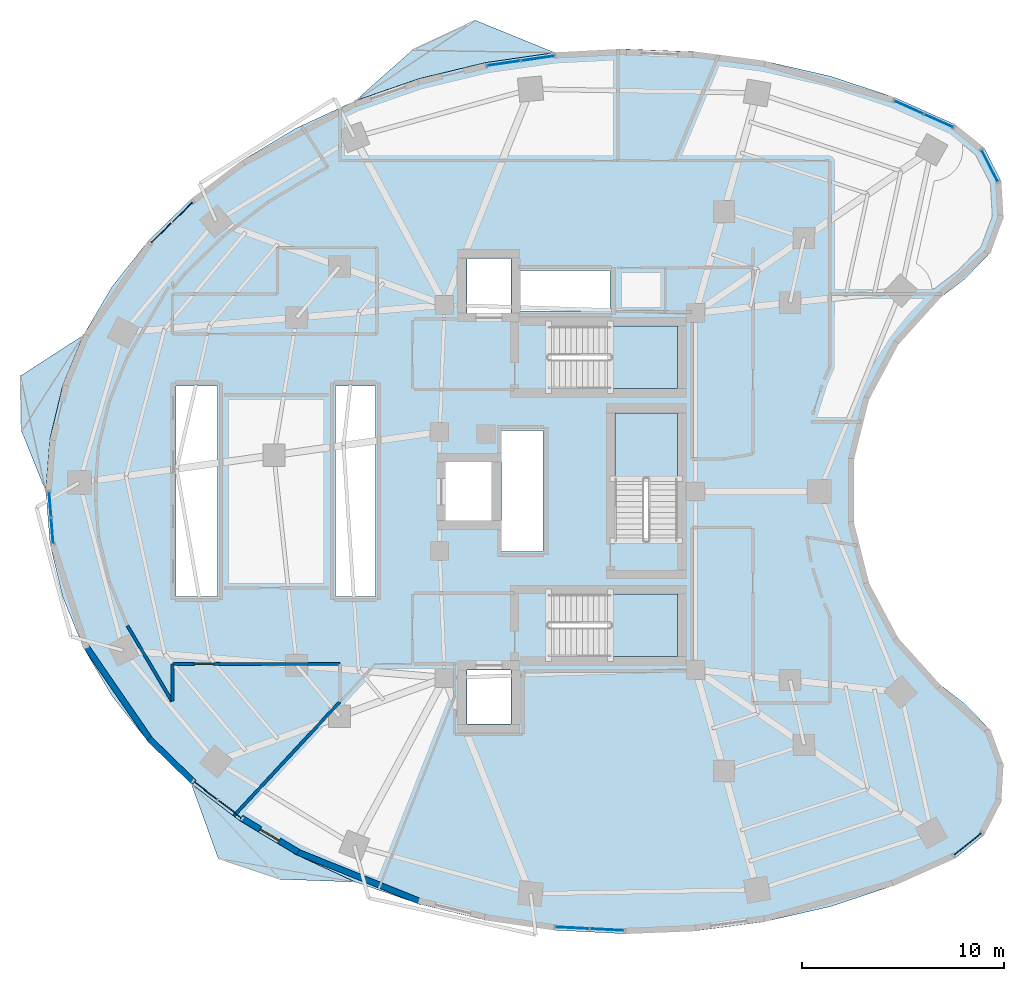
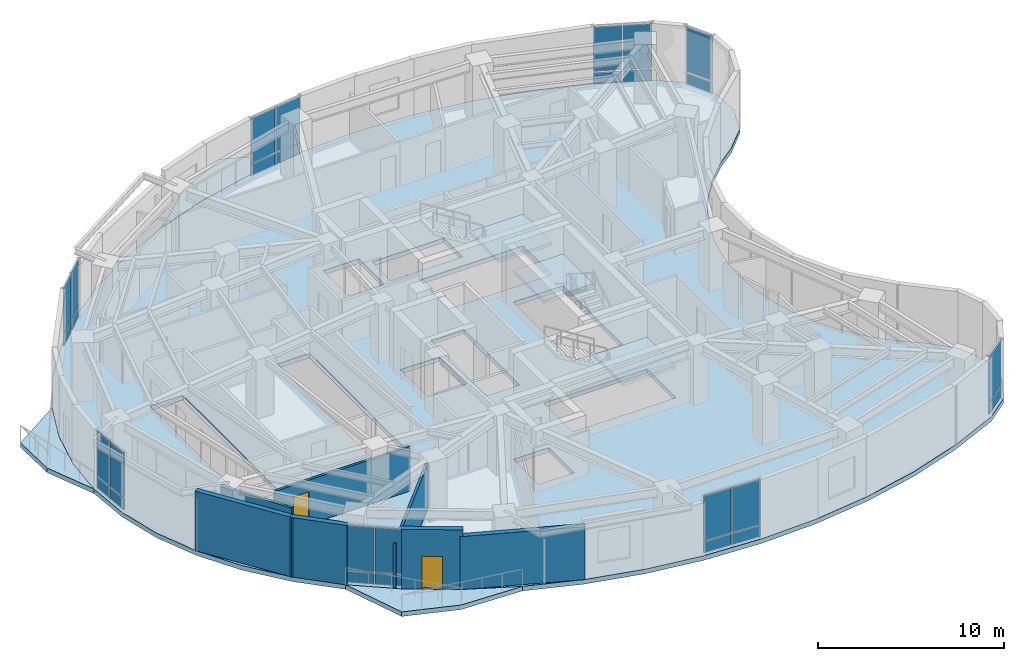
# One storey, part 7 of 14: 28 plates, 8 walls, 7 slabs, 2 doors, 2 openings, 11 elements without a shape of their own.
"""IFC4 building model written with IfcOpenShell, lengths in metres."""

from ifc_helpers import new_model, si_unit, direction, frame, frame_2d, origin, origin_2d, place, context, subcontext, project, spatial, polyline, rectangle, outline, extrude, material, layer, layer_set, type_object, element, fill, aggregate, save


model = new_model("IFC4")

# Units and contexts
model_context = context("Model", 3, precision=1e-05, world=origin(), true_north=direction((0.0, 1.0)))
body_context = subcontext(model_context, "Body", "Model", "MODEL_VIEW")
ifc_project = project(units=[si_unit("LENGTHUNIT", "METRE"), si_unit("AREAUNIT", "SQUARE_METRE"), si_unit("VOLUMEUNIT", "CUBIC_METRE"), si_unit("PLANEANGLEUNIT", "RADIAN"), si_unit("MASSUNIT", "GRAM", prefix="KILO")], contexts=[model_context])

# Site, building, storey
site_placement = place(None, origin())
site = spatial("IfcSite", under=ifc_project, at=site_placement, CompositionType="ELEMENT")
building_placement = place(site_placement, origin())
building = spatial("IfcBuilding", under=site, at=building_placement, Name="Korentha Bioscience Tower", CompositionType="ELEMENT")
storey_placement = place(building_placement, frame((0.0, 0.0, 102.60009765625)))
storey = spatial("IfcBuildingStorey", under=building, at=storey_placement, Name="L23", CompositionType="ELEMENT", Elevation=102.60009765625)

# Curtain wall, plates
ifc_material_1 = material(Name="Thermally Broken Aluminium Frame", Category="aluminium")
ifc_layer_1 = layer(ifc_material_1, 0.219970703125, Name="Thermally Broken Aluminium Frame")
ifc_layer_set_1 = layer_set([ifc_layer_1], Name="Thermally Broken Aluminium Frame (CW-T1)")
curtain_wall_type = type_object("IfcCurtainWallType", Name="Standard Bioscience Lab Unitised Curtain Wall CW-T1", PredefinedType="USERDEFINED", material=ifc_layer_set_1)
curtain_wall_1_placement = place(storey_placement, origin())
curtain_wall_1 = element("IfcCurtainWall", 1, at=curtain_wall_1_placement, inside=storey, type_object=curtain_wall_type, Name="L23 Curtain Wall 01", ObjectType="UNITISED", PredefinedType="USERDEFINED")
ifc_material_2 = material(Name="Triple-Glazed Low-E Insulated Glass", Category="glass")
ifc_layer_2 = layer(ifc_material_2, 0.0439453125, Name="Triple-Glazed Low-E Insulated Glass")
ifc_layer_set_2 = layer_set([ifc_layer_2], Name="Triple-Glazed Low-E Insulated Glass (GL-44)")
plate_type = type_object("IfcPlateType", Name="Glazed Panel 44mm", PredefinedType="CURTAIN_PANEL", material=ifc_layer_set_2)
plate_1_placement = place(storey_placement, frame((49.61767578125, 45.385986328125, 0.08984375), z_axis=(0.0, 0.0, 1.0), x_axis=(-0.912686563127, 0.408660295952, 0.0)))
plate_1 = element("IfcPlate", 2, at=plate_1_placement, type_object=plate_type, Name="CW-L23-01 Bay 1 Glazed Panel 1", PredefinedType="CURTAIN_PANEL", context=body_context, shape_type="SweptSolid", body=[
    extrude(rectangle(XDim=1.54541015625, YDim=0.0439453125, at=origin_2d()), origin(), (0.0, 0.0, 1.0), 0.715087890625),
])
plate_2_placement = place(storey_placement, frame((49.61767578125, 45.385986328125, 0.894775390625), z_axis=(0.0, 0.0, 1.0), x_axis=(-0.912686563127, 0.408660295952, 0.0)))
plate_2 = element("IfcPlate", 3, at=plate_2_placement, type_object=plate_type, Name="CW-L23-01 Bay 1 Glazed Panel 2", PredefinedType="CURTAIN_PANEL", context=body_context, shape_type="SweptSolid", body=[
    extrude(rectangle(XDim=1.54541015625, YDim=0.0439453125, at=origin_2d()), origin(), (0.0, 0.0, 1.0), 2.9150390625),
])
plate_3_placement = place(storey_placement, frame((48.125, 46.05419921875, 0.08984375), z_axis=(0.0, 0.0, 1.0), x_axis=(-0.912686563127, 0.408660295952, 0.0)))
plate_3 = element("IfcPlate", 4, at=plate_3_placement, type_object=plate_type, Name="CW-L23-01 Bay 2 Glazed Panel 1", PredefinedType="CURTAIN_PANEL", context=body_context, shape_type="SweptSolid", body=[
    extrude(rectangle(XDim=1.54541015625, YDim=0.0439453125, at=origin_2d()), origin(), (0.0, 0.0, 1.0), 0.715087890625),
])
plate_4_placement = place(storey_placement, frame((48.125, 46.05419921875, 0.894775390625), z_axis=(0.0, 0.0, 1.0), x_axis=(-0.912686563127, 0.408660295952, 0.0)))
plate_4 = element("IfcPlate", 5, at=plate_4_placement, type_object=plate_type, Name="CW-L23-01 Bay 2 Glazed Panel 2", PredefinedType="CURTAIN_PANEL", context=body_context, shape_type="SweptSolid", body=[
    extrude(rectangle(XDim=1.54541015625, YDim=0.0439453125, at=origin_2d()), origin(), (0.0, 0.0, 1.0), 2.9150390625),
])
aggregate(curtain_wall_1, [plate_1, plate_2, plate_3, plate_4])

curtain_wall_2_placement = place(storey_placement, origin())
curtain_wall_2 = element("IfcCurtainWall", 6, at=curtain_wall_2_placement, inside=storey, type_object=curtain_wall_type, Name="L23 Curtain Wall 07", ObjectType="UNITISED", PredefinedType="USERDEFINED")
plate_5_placement = place(storey_placement, frame((29.724853515625, 48.486328125, 0.08984375), z_axis=(0.0, 0.0, 1.0), x_axis=(-0.989738282326, -0.14289203091, 0.0)))
plate_5 = element("IfcPlate", 7, at=plate_5_placement, type_object=plate_type, Name="CW-L23-07 Bay 1 Glazed Panel 1", PredefinedType="CURTAIN_PANEL", context=body_context, shape_type="SweptSolid", body=[
    extrude(rectangle(XDim=1.630615234375, YDim=0.0439453125, at=origin_2d()), origin(), (0.0, 0.0, 1.0), 0.715087890625),
])
plate_6_placement = place(storey_placement, frame((29.724853515625, 48.486328125, 0.894775390625), z_axis=(0.0, 0.0, 1.0), x_axis=(-0.989738282326, -0.14289203091, 0.0)))
plate_6 = element("IfcPlate", 8, at=plate_6_placement, type_object=plate_type, Name="CW-L23-07 Bay 1 Glazed Panel 2", PredefinedType="CURTAIN_PANEL", context=body_context, shape_type="SweptSolid", body=[
    extrude(rectangle(XDim=1.630615234375, YDim=0.0439453125, at=origin_2d()), origin(), (0.0, 0.0, 1.0), 2.9150390625),
])
plate_7_placement = place(storey_placement, frame((28.021728515625, 48.240478515625, 0.08984375), z_axis=(0.0, 0.0, 1.0), x_axis=(-0.989738282326, -0.14289203091, 0.0)))
plate_7 = element("IfcPlate", 9, at=plate_7_placement, type_object=plate_type, Name="CW-L23-07 Bay 2 Glazed Panel 1", PredefinedType="CURTAIN_PANEL", context=body_context, shape_type="SweptSolid", body=[
    extrude(rectangle(XDim=1.630615234375, YDim=0.0439453125, at=origin_2d()), origin(), (0.0, 0.0, 1.0), 0.715087890625),
])
plate_8_placement = place(storey_placement, frame((28.021728515625, 48.240478515625, 0.894775390625), z_axis=(0.0, 0.0, 1.0), x_axis=(-0.989738282326, -0.14289203091, 0.0)))
plate_8 = element("IfcPlate", 10, at=plate_8_placement, type_object=plate_type, Name="CW-L23-07 Bay 2 Glazed Panel 2", PredefinedType="CURTAIN_PANEL", context=body_context, shape_type="SweptSolid", body=[
    extrude(rectangle(XDim=1.630615234375, YDim=0.0439453125, at=origin_2d()), origin(), (0.0, 0.0, 1.0), 2.9150390625),
])
aggregate(curtain_wall_2, [plate_5, plate_6, plate_7, plate_8])

curtain_wall_3_placement = place(storey_placement, origin())
curtain_wall_3 = element("IfcCurtainWall", 11, at=curtain_wall_3_placement, inside=storey, type_object=curtain_wall_type, Name="L23 Curtain Wall 13", ObjectType="UNITISED", PredefinedType="USERDEFINED")
plate_9_placement = place(storey_placement, frame((12.09912109375, 40.858642578125, 0.08984375), z_axis=(0.0, 0.0, 1.0), x_axis=(-0.716095631804, -0.698002182025, 0.0)))
plate_9 = element("IfcPlate", 12, at=plate_9_placement, type_object=plate_type, Name="CW-L23-13 Bay 1 Glazed Panel 1", PredefinedType="CURTAIN_PANEL", context=body_context, shape_type="SweptSolid", body=[
    extrude(rectangle(XDim=1.39599609375, YDim=0.0439453125, at=origin_2d()), origin(), (0.0, 0.0, 1.0), 0.715087890625),
])
plate_10_placement = place(storey_placement, frame((12.09912109375, 40.858642578125, 0.894775390625), z_axis=(0.0, 0.0, 1.0), x_axis=(-0.716095631804, -0.698002182025, 0.0)))
plate_10 = element("IfcPlate", 13, at=plate_10_placement, type_object=plate_type, Name="CW-L23-13 Bay 1 Glazed Panel 2", PredefinedType="CURTAIN_PANEL", context=body_context, shape_type="SweptSolid", body=[
    extrude(rectangle(XDim=1.39599609375, YDim=0.0439453125, at=origin_2d()), origin(), (0.0, 0.0, 1.0), 2.9150390625),
])
plate_11_placement = place(storey_placement, frame((11.034912109375, 39.8212890625, 0.08984375), z_axis=(0.0, 0.0, 1.0), x_axis=(-0.716095631804, -0.698002182025, 0.0)))
plate_11 = element("IfcPlate", 14, at=plate_11_placement, type_object=plate_type, Name="CW-L23-13 Bay 2 Glazed Panel 1", PredefinedType="CURTAIN_PANEL", context=body_context, shape_type="SweptSolid", body=[
    extrude(rectangle(XDim=1.39599609375, YDim=0.0439453125, at=origin_2d()), origin(), (0.0, 0.0, 1.0), 0.715087890625),
])
plate_12_placement = place(storey_placement, frame((11.034912109375, 39.8212890625, 0.894775390625), z_axis=(0.0, 0.0, 1.0), x_axis=(-0.716095631804, -0.698002182025, 0.0)))
plate_12 = element("IfcPlate", 15, at=plate_12_placement, type_object=plate_type, Name="CW-L23-13 Bay 2 Glazed Panel 2", PredefinedType="CURTAIN_PANEL", context=body_context, shape_type="SweptSolid", body=[
    extrude(rectangle(XDim=1.39599609375, YDim=0.0439453125, at=origin_2d()), origin(), (0.0, 0.0, 1.0), 2.9150390625),
])
aggregate(curtain_wall_3, [plate_9, plate_10, plate_11, plate_12])

curtain_wall_4_placement = place(storey_placement, origin())
curtain_wall_4 = element("IfcCurtainWall", 16, at=curtain_wall_4_placement, inside=storey, type_object=curtain_wall_type, Name="L23 Curtain Wall 19", ObjectType="UNITISED", PredefinedType="USERDEFINED")
plate_13_placement = place(storey_placement, frame((5.52587890625, 26.35205078125, 0.08984375), z_axis=(0.0, 0.0, 1.0), x_axis=(0.079130214674, -0.996864288219, 0.0)))
plate_13 = element("IfcPlate", 17, at=plate_13_placement, type_object=plate_type, Name="CW-L23-19 Bay 1 Glazed Panel 1", PredefinedType="CURTAIN_PANEL", context=body_context, shape_type="SweptSolid", body=[
    extrude(rectangle(XDim=1.225341796875, YDim=0.0439453125, at=origin_2d()), origin(), (0.0, 0.0, 1.0), 0.715087890625),
])
plate_14_placement = place(storey_placement, frame((5.52587890625, 26.35205078125, 0.894775390625), z_axis=(0.0, 0.0, 1.0), x_axis=(0.079130214674, -0.996864288219, 0.0)))
plate_14 = element("IfcPlate", 18, at=plate_14_placement, type_object=plate_type, Name="CW-L23-19 Bay 1 Glazed Panel 2", PredefinedType="CURTAIN_PANEL", context=body_context, shape_type="SweptSolid", body=[
    extrude(rectangle(XDim=1.225341796875, YDim=0.0439453125, at=origin_2d()), origin(), (0.0, 0.0, 1.0), 2.9150390625),
])
plate_15_placement = place(storey_placement, frame((5.6298828125, 25.040771484375, 0.08984375), z_axis=(0.0, 0.0, 1.0), x_axis=(0.079130214674, -0.996864288219, 0.0)))
plate_15 = element("IfcPlate", 19, at=plate_15_placement, type_object=plate_type, Name="CW-L23-19 Bay 2 Glazed Panel 1", PredefinedType="CURTAIN_PANEL", context=body_context, shape_type="SweptSolid", body=[
    extrude(rectangle(XDim=1.225341796875, YDim=0.0439453125, at=origin_2d()), origin(), (0.0, 0.0, 1.0), 0.715087890625),
])
plate_16_placement = place(storey_placement, frame((5.6298828125, 25.040771484375, 0.894775390625), z_axis=(0.0, 0.0, 1.0), x_axis=(0.079130214674, -0.996864288219, 0.0)))
plate_16 = element("IfcPlate", 20, at=plate_16_placement, type_object=plate_type, Name="CW-L23-19 Bay 2 Glazed Panel 2", PredefinedType="CURTAIN_PANEL", context=body_context, shape_type="SweptSolid", body=[
    extrude(rectangle(XDim=1.225341796875, YDim=0.0439453125, at=origin_2d()), origin(), (0.0, 0.0, 1.0), 2.9150390625),
])
aggregate(curtain_wall_4, [plate_13, plate_14, plate_15, plate_16])

curtain_wall_5_placement = place(storey_placement, origin())
curtain_wall_5 = element("IfcCurtainWall", 21, at=curtain_wall_5_placement, inside=storey, type_object=curtain_wall_type, Name="L23 Curtain Wall 25", ObjectType="UNITISED", PredefinedType="USERDEFINED")
plate_17_placement = place(storey_placement, frame((13.234619140625, 12.162353515625, 0.08984375), z_axis=(0.0, 0.0, 1.0), x_axis=(0.794499603893, -0.607264669986, 0.0)))
plate_17 = element("IfcPlate", 22, at=plate_17_placement, type_object=plate_type, Name="CW-L23-25 Bay 1 Glazed Panel 1", PredefinedType="CURTAIN_PANEL", context=body_context, shape_type="SweptSolid", body=[
    extrude(rectangle(XDim=1.4462890625, YDim=0.0439453125, at=origin_2d()), origin(), (0.0, 0.0, 1.0), 0.715087890625),
])
plate_18_placement = place(storey_placement, frame((13.234619140625, 12.162353515625, 0.894775390625), z_axis=(0.0, 0.0, 1.0), x_axis=(0.794499603893, -0.607264669986, 0.0)))
plate_18 = element("IfcPlate", 23, at=plate_18_placement, type_object=plate_type, Name="CW-L23-25 Bay 1 Glazed Panel 2", PredefinedType="CURTAIN_PANEL", context=body_context, shape_type="SweptSolid", body=[
    extrude(rectangle(XDim=1.4462890625, YDim=0.0439453125, at=origin_2d()), origin(), (0.0, 0.0, 1.0), 2.9150390625),
])
plate_19_placement = place(storey_placement, frame((14.455078125, 11.229248046875, 0.08984375), z_axis=(0.0, 0.0, 1.0), x_axis=(0.794499603893, -0.607264669986, 0.0)))
plate_19 = element("IfcPlate", 24, at=plate_19_placement, type_object=plate_type, Name="CW-L23-25 Bay 2 Glazed Panel 1", PredefinedType="CURTAIN_PANEL", context=body_context, shape_type="SweptSolid", body=[
    extrude(rectangle(XDim=1.4462890625, YDim=0.0439453125, at=origin_2d()), origin(), (0.0, 0.0, 1.0), 0.715087890625),
])
plate_20_placement = place(storey_placement, frame((14.455078125, 11.229248046875, 0.894775390625), z_axis=(0.0, 0.0, 1.0), x_axis=(0.794499603893, -0.607264669986, 0.0)))
plate_20 = element("IfcPlate", 25, at=plate_20_placement, type_object=plate_type, Name="CW-L23-25 Bay 2 Glazed Panel 2", PredefinedType="CURTAIN_PANEL", context=body_context, shape_type="SweptSolid", body=[
    extrude(rectangle(XDim=1.4462890625, YDim=0.0439453125, at=origin_2d()), origin(), (0.0, 0.0, 1.0), 2.9150390625),
])
aggregate(curtain_wall_5, [plate_17, plate_18, plate_19, plate_20])

curtain_wall_6_placement = place(storey_placement, origin())
curtain_wall_6 = element("IfcCurtainWall", 26, at=curtain_wall_6_placement, inside=storey, type_object=curtain_wall_type, Name="L23 Curtain Wall 31", ObjectType="UNITISED", PredefinedType="USERDEFINED")
plate_21_placement = place(storey_placement, frame((31.436279296875, 5.346435546875, 0.08984375), z_axis=(0.0, 0.0, 1.0), x_axis=(0.998673231344, -0.051495407527, 0.0)))
plate_21 = element("IfcPlate", 27, at=plate_21_placement, type_object=plate_type, Name="CW-L23-31 Bay 1 Glazed Panel 1", PredefinedType="CURTAIN_PANEL", context=body_context, shape_type="SweptSolid", body=[
    extrude(rectangle(XDim=1.641845703125, YDim=0.0439453125, at=origin_2d()), origin(), (0.0, 0.0, 1.0), 0.715087890625),
])
plate_22_placement = place(storey_placement, frame((31.436279296875, 5.346435546875, 0.894775390625), z_axis=(0.0, 0.0, 1.0), x_axis=(0.998673231344, -0.051495407527, 0.0)))
plate_22 = element("IfcPlate", 28, at=plate_22_placement, type_object=plate_type, Name="CW-L23-31 Bay 1 Glazed Panel 2", PredefinedType="CURTAIN_PANEL", context=body_context, shape_type="SweptSolid", body=[
    extrude(rectangle(XDim=1.641845703125, YDim=0.0439453125, at=origin_2d()), origin(), (0.0, 0.0, 1.0), 2.9150390625),
])
plate_23_placement = place(storey_placement, frame((33.166015625, 5.25732421875, 0.08984375), z_axis=(0.0, 0.0, 1.0), x_axis=(0.998673231344, -0.051495407527, 0.0)))
plate_23 = element("IfcPlate", 29, at=plate_23_placement, type_object=plate_type, Name="CW-L23-31 Bay 2 Glazed Panel 1", PredefinedType="CURTAIN_PANEL", context=body_context, shape_type="SweptSolid", body=[
    extrude(rectangle(XDim=1.641845703125, YDim=0.0439453125, at=origin_2d()), origin(), (0.0, 0.0, 1.0), 0.715087890625),
])
plate_24_placement = place(storey_placement, frame((33.166015625, 5.25732421875, 0.894775390625), z_axis=(0.0, 0.0, 1.0), x_axis=(0.998673231344, -0.051495407527, 0.0)))
plate_24 = element("IfcPlate", 30, at=plate_24_placement, type_object=plate_type, Name="CW-L23-31 Bay 2 Glazed Panel 2", PredefinedType="CURTAIN_PANEL", context=body_context, shape_type="SweptSolid", body=[
    extrude(rectangle(XDim=1.641845703125, YDim=0.0439453125, at=origin_2d()), origin(), (0.0, 0.0, 1.0), 2.9150390625),
])
aggregate(curtain_wall_6, [plate_21, plate_22, plate_23, plate_24])

curtain_wall_7_placement = place(storey_placement, origin())
curtain_wall_7 = element("IfcCurtainWall", 31, at=curtain_wall_7_placement, inside=storey, type_object=curtain_wall_type, Name="L23 Curtain Wall 37", ObjectType="UNITISED", PredefinedType="USERDEFINED")
plate_25_placement = place(storey_placement, frame((51.04736328125, 9.506591796875, 0.08984375), z_axis=(0.0, 0.0, 1.0), x_axis=(0.777315301098, 0.629111216463, 0.0)))
plate_25 = element("IfcPlate", 32, at=plate_25_placement, type_object=plate_type, Name="CW-L23-37 Bay 1 Glazed Panel 1", PredefinedType="CURTAIN_PANEL", context=body_context, shape_type="SweptSolid", body=[
    extrude(rectangle(XDim=1.737548828125, YDim=0.0439453125, at=origin_2d()), origin(), (0.0, 0.0, 1.0), 0.715087890625),
])
plate_26_placement = place(storey_placement, frame((51.04736328125, 9.506591796875, 0.894775390625), z_axis=(0.0, 0.0, 1.0), x_axis=(0.777315301098, 0.629111216463, 0.0)))
plate_26 = element("IfcPlate", 33, at=plate_26_placement, type_object=plate_type, Name="CW-L23-37 Bay 1 Glazed Panel 2", PredefinedType="CURTAIN_PANEL", context=body_context, shape_type="SweptSolid", body=[
    extrude(rectangle(XDim=1.737548828125, YDim=0.0439453125, at=origin_2d()), origin(), (0.0, 0.0, 1.0), 2.9150390625),
])
aggregate(curtain_wall_7, [plate_25, plate_26])

curtain_wall_8_placement = place(storey_placement, origin())
curtain_wall_8 = element("IfcCurtainWall", 34, at=curtain_wall_8_placement, inside=storey, type_object=curtain_wall_type, Name="L23 Curtain Wall 61", ObjectType="UNITISED", PredefinedType="USERDEFINED")
plate_27_placement = place(storey_placement, frame((52.140380859375, 43.149658203125, 0.08984375), z_axis=(0.0, 0.0, 1.0), x_axis=(-0.457613117169, 0.889151412862, 0.0)))
plate_27 = element("IfcPlate", 35, at=plate_27_placement, type_object=plate_type, Name="CW-L23-61 Bay 1 Glazed Panel 1", PredefinedType="CURTAIN_PANEL", context=body_context, shape_type="SweptSolid", body=[
    extrude(rectangle(XDim=1.737548828125, YDim=0.0439453125, at=origin_2d()), origin(), (0.0, 0.0, 1.0), 0.715087890625),
])
plate_28_placement = place(storey_placement, frame((52.140380859375, 43.149658203125, 0.894775390625), z_axis=(0.0, 0.0, 1.0), x_axis=(-0.457613117169, 0.889151412862, 0.0)))
plate_28 = element("IfcPlate", 36, at=plate_28_placement, type_object=plate_type, Name="CW-L23-61 Bay 1 Glazed Panel 2", PredefinedType="CURTAIN_PANEL", context=body_context, shape_type="SweptSolid", body=[
    extrude(rectangle(XDim=1.737548828125, YDim=0.0439453125, at=origin_2d()), origin(), (0.0, 0.0, 1.0), 2.9150390625),
])
aggregate(curtain_wall_8, [plate_27, plate_28])

# Slab
ifc_material_3 = material(Name="Concrete C50", Category="concrete")
ifc_layer_3 = layer(ifc_material_3, 0.300048828125, Name="Concrete C50")
ifc_layer_set_3 = layer_set([ifc_layer_3], Name="Concrete C50 (SL-L300)")
slab_type_1 = type_object("IfcSlabType", Name="Laboratory Vibration-Controlled Slab 300", PredefinedType="FLOOR", material=ifc_layer_set_3)
slab_1_placement = place(storey_placement, frame((0.0, 0.0, -0.300048828125)))
element("IfcSlab", 37, at=slab_1_placement, inside=storey, type_object=slab_type_1, Name="L23 Tower Structural Floor Slab", PredefinedType="FLOOR", context=body_context, shape_type="SweptSolid", body=[
    extrude(outline(polyline([(50.433837890625, 45.19580078125), (47.439697265625, 46.53662109375), (44.2548828125, 47.59521484375), (40.925537109375, 48.3564453125), (37.5, 48.809326171875), (34.027587890625, 48.947265625), (30.558349609375, 48.7685546875), (27.142333984375, 48.275390625), (23.8291015625, 47.474853515625), (20.66650390625, 46.37890625), (17.69970703125, 45.003173828125), (14.972412109375, 43.367431640625), (12.52294921875, 41.495361328125), (10.3876953125, 39.413818359375), (8.5966796875, 37.1533203125), (7.17626953125, 34.74609375), (6.146484375, 32.22705078125), (5.52294921875, 29.632568359375), (5.31396484375, 27.0), (5.52294921875, 24.367431640625), (6.146484375, 21.77294921875), (7.17626953125, 19.25390625), (8.5966796875, 16.8466796875), (10.3876953125, 14.586181640625), (12.52294921875, 12.504638671875), (14.972412109375, 10.632568359375), (17.69970703125, 8.996826171875), (20.66650390625, 7.62109375), (23.8291015625, 6.525146484375), (27.142333984375, 5.724609375), (30.558349609375, 5.2314453125), (34.027587890625, 5.052734375), (37.5, 5.190673828125), (40.925537109375, 5.6435546875), (44.2548828125, 6.40478515625), (47.439697265625, 7.46337890625), (50.433837890625, 8.80419921875), (51.8623046875, 9.960205078125), (52.703125, 11.593994140625), (52.813720703125, 13.42822265625), (52.175537109375, 15.1513671875), (50.896484375, 16.470703125), (49.666259765625, 17.414794921875), (48.560302734375, 18.501708984375), (47.594970703125, 19.715087890625), (46.78466796875, 21.037353515625), (46.1416015625, 22.448486328125), (45.67529296875, 23.927490234375), (45.392578125, 25.4521484375), (45.298095703125, 27.0), (45.392578125, 28.5478515625), (45.67529296875, 30.072509765625), (46.1416015625, 31.551513671875), (46.78466796875, 32.962646484375), (47.594970703125, 34.284912109375), (48.560302734375, 35.498291015625), (49.666259765625, 36.585205078125), (50.896484375, 37.529296875), (52.175537109375, 38.8486328125), (52.813720703125, 40.57177734375), (52.703125, 42.406005859375), (51.8623046875, 44.039794921875), (50.433837890625, 45.19580078125)]), holes=[polyline([(30.25, 32.10009765625), (36.64990234375, 32.10009765625), (36.64990234375, 35.199951171875), (30.25, 35.199951171875), (30.25, 32.10009765625)]), polyline([(30.25, 18.800048828125), (36.64990234375, 18.800048828125), (36.64990234375, 21.89990234375), (30.25, 21.89990234375), (30.25, 18.800048828125)]), polyline([(36.64990234375, 24.550048828125), (36.64990234375, 30.89990234375), (33.550048828125, 30.89990234375), (33.550048828125, 24.550048828125), (36.64990234375, 24.550048828125)]), polyline([(11.780029296875, 21.780029296875), (13.820068359375, 21.780029296875), (13.820068359375, 32.219970703125), (11.780029296875, 32.219970703125), (11.780029296875, 21.780029296875)]), polyline([(19.679931640625, 21.780029296875), (21.669921875, 21.780029296875), (21.669921875, 32.219970703125), (19.679931640625, 32.219970703125), (19.679931640625, 21.780029296875)]), polyline([(27.929931640625, 24.030029296875), (29.969970703125, 24.030029296875), (29.969970703125, 30.02001953125), (27.929931640625, 30.02001953125), (27.929931640625, 24.030029296875)]), polyline([(28.860107421875, 35.93994140625), (33.31005859375, 35.93994140625), (33.31005859375, 37.9599609375), (28.860107421875, 37.9599609375), (28.860107421875, 35.93994140625)]), polyline([(26.199951171875, 15.449951171875), (28.39990234375, 15.449951171875), (28.39990234375, 18.14990234375), (26.199951171875, 18.14990234375), (26.199951171875, 15.449951171875)]), polyline([(26.199951171875, 35.85009765625), (28.39990234375, 35.85009765625), (28.39990234375, 38.550048828125), (26.199951171875, 38.550048828125), (26.199951171875, 35.85009765625)]), polyline([(25.14990234375, 25.550048828125), (27.550048828125, 25.550048828125), (27.550048828125, 28.449951171875), (25.14990234375, 28.449951171875), (25.14990234375, 25.550048828125)])]), origin(), (0.0, 0.0, 1.0), 0.300048828125),
])

# Stair, slab
ifc_material_4 = material(Name="Precast Concrete C50", Category="concrete")
stair_type = type_object("IfcStairType", Name="Core Exit Dog-Leg Stair 1450", PredefinedType="HALF_TURN_STAIR", material=ifc_material_4)
stair_1_placement = place(storey_placement, origin())
stair_1 = element("IfcStair", 38, at=stair_1_placement, inside=storey, type_object=stair_type, Name="L23 Tower North Pressurized Exit Stair ST-1", PredefinedType="HALF_TURN_STAIR")
ifc_layer_4 = layer(ifc_material_3, 0.199951171875, Name="Concrete C50")
ifc_layer_set_4 = layer_set([ifc_layer_4], Name="Concrete C50 (SL-LND)")
slab_type_2 = type_object("IfcSlabType", Name="Landing Slab 200", PredefinedType="LANDING", material=ifc_layer_set_4)
slab_2_placement = place(storey_placement, frame((0.0, 0.0, 1.89990234375)))
slab_2 = element("IfcSlab", 39, at=slab_2_placement, type_object=slab_type_2, Name="ST-1 landing 1", PredefinedType="LANDING", context=body_context, shape_type="SweptSolid", body=[
    extrude(outline(polyline([(33.330078125, 32.10009765625), (36.64990234375, 32.10009765625), (36.64990234375, 35.199951171875), (33.330078125, 35.199951171875), (33.330078125, 32.10009765625)])), origin(), (0.0, 0.0, 1.0), 0.199951171875),
])
aggregate(stair_1, [slab_2])

stair_2_placement = place(storey_placement, origin())
stair_2 = element("IfcStair", 40, at=stair_2_placement, inside=storey, type_object=stair_type, Name="L23 Tower South Pressurized Exit Stair ST-2", PredefinedType="HALF_TURN_STAIR")
slab_3_placement = place(storey_placement, frame((0.0, 0.0, 1.89990234375)))
slab_3 = element("IfcSlab", 41, at=slab_3_placement, type_object=slab_type_2, Name="ST-2 landing 1", PredefinedType="LANDING", context=body_context, shape_type="SweptSolid", body=[
    extrude(outline(polyline([(33.330078125, 18.800048828125), (36.64990234375, 18.800048828125), (36.64990234375, 21.89990234375), (33.330078125, 21.89990234375), (33.330078125, 18.800048828125)])), origin(), (0.0, 0.0, 1.0), 0.199951171875),
])
aggregate(stair_2, [slab_3])

stair_3_placement = place(storey_placement, origin())
stair_3 = element("IfcStair", 42, at=stair_3_placement, inside=storey, type_object=stair_type, Name="L23 Tower Central Pressurized Exit Stair ST-3", PredefinedType="HALF_TURN_STAIR")
slab_4_placement = place(storey_placement, frame((0.0, 0.0, 1.89990234375)))
slab_4 = element("IfcSlab", 43, at=slab_4_placement, type_object=slab_type_2, Name="ST-3 landing 1", PredefinedType="LANDING", context=body_context, shape_type="SweptSolid", body=[
    extrude(outline(polyline([(36.64990234375, 27.6298828125), (36.64990234375, 30.89990234375), (33.550048828125, 30.89990234375), (33.550048828125, 27.6298828125), (36.64990234375, 27.6298828125)])), origin(), (0.0, 0.0, 1.0), 0.199951171875),
])
aggregate(stair_3, [slab_4])

# Slabs
ifc_layer_5 = layer(ifc_material_3, 0.300048828125, Name="Concrete C50")
ifc_layer_set_5 = layer_set([ifc_layer_5], Name="Concrete C50 (BS-240)")
slab_type_3 = type_object("IfcSlabType", Name="Sawtooth Sun-Ledge Balcony Slab 240", PredefinedType="USERDEFINED", material=ifc_layer_set_5)
slab_5_placement = place(storey_placement, frame((0.0, 0.0, -0.300048828125)))
element("IfcSlab", 44, at=slab_5_placement, inside=storey, type_object=slab_type_3, Name="L23 Sun-Ledge Balcony 01", ObjectType="BALCONY", PredefinedType="USERDEFINED", context=body_context, shape_type="SweptSolid", body=[
    extrude(outline(polyline([(20.66650390625, 46.37890625), (23.8291015625, 47.474853515625), (27.142333984375, 48.275390625), (30.558349609375, 48.7685546875), (26.637451171875, 50.365234375), (23.48876953125, 48.884521484375), (20.66650390625, 46.37890625)])), origin(), (0.0, 0.0, 1.0), 0.300048828125),
])
slab_6_placement = place(storey_placement, frame((0.0, 0.0, -0.300048828125)))
element("IfcSlab", 45, at=slab_6_placement, inside=storey, type_object=slab_type_3, Name="L23 Sun-Ledge Balcony 02", ObjectType="BALCONY", PredefinedType="USERDEFINED", context=body_context, shape_type="SweptSolid", body=[
    extrude(outline(polyline([(5.31396484375, 27.0), (5.52294921875, 29.632568359375), (6.146484375, 32.22705078125), (7.17626953125, 34.74609375), (4.05615234375, 32.729736328125), (4.113037109375, 29.971435546875), (5.31396484375, 27.0)])), origin(), (0.0, 0.0, 1.0), 0.300048828125),
])
slab_7_placement = place(storey_placement, frame((0.0, 0.0, -0.300048828125)))
element("IfcSlab", 46, at=slab_7_placement, inside=storey, type_object=slab_type_3, Name="L23 Sun-Ledge Balcony 03", ObjectType="BALCONY", PredefinedType="USERDEFINED", context=body_context, shape_type="SweptSolid", body=[
    extrude(outline(polyline([(20.66650390625, 7.62109375), (17.69970703125, 8.996826171875), (14.972412109375, 10.632568359375), (12.52294921875, 12.504638671875), (13.866455078125, 8.788818359375), (16.9541015625, 7.75341796875), (20.66650390625, 7.62109375)])), origin(), (0.0, 0.0, 1.0), 0.300048828125),
])

# Wall, opening, door
ifc_material_5 = material(Name="Double-Stud Acoustic Gypsum", Category="gypsum")
ifc_layer_6 = layer(ifc_material_5, 0.14990234375, Name="Double-Stud Acoustic Gypsum")
ifc_layer_set_6 = layer_set([ifc_layer_6], Name="Double-Stud Acoustic Gypsum (IW-L150)")
wall_type_1 = type_object("IfcWallType", Name="Acoustic Laboratory Partition Wall 150", PredefinedType="PARTITIONING", material=ifc_layer_set_6)
wall_1_placement = place(storey_placement, frame((11.590087890625, 18.43994140625, 0.0), z_axis=(0.0, 0.0, 1.0), x_axis=(1.0, 0.0, 0.0)))
wall_1 = element("IfcWall", 47, at=wall_1_placement, inside=storey, type_object=wall_type_1, Name="L23 Principal Investigator Office 01 Entrance Wall", PredefinedType="PARTITIONING", context=body_context, shape_type="SweptSolid", body=[
    extrude(rectangle(XDim=8.307861328125, YDim=0.14990234375, at=frame_2d((4.15380859375, 0.0))), origin(), (0.0, 0.0, 1.0), 2.909912109375),
])
opening_1_placement = place(wall_1_placement, frame((1.095458984375, 0.0, 0.0)))
opening_1 = element("IfcOpeningElement", 48, at=opening_1_placement, cuts=wall_1, Name="Opening ID-10L", PredefinedType="OPENING", context=body_context, shape_type="SweptSolid", body=[
    extrude(rectangle(XDim=0.949951171875, YDim=2.14990234375, at=frame_2d((0.47509765625, 1.074951171875))), frame((0.0, 0.08984375, 0.0), z_axis=(0.0, -1.0, 0.0), x_axis=(1.0, 0.0, 0.0)), (0.0, 0.0, 1.0), 0.1796875),
])
ifc_material_6 = material(Name="Phenolic Laminate Timber Core", Category="wood")
door_type_1 = type_object("IfcDoorType", Name="Laboratory Single Leaf Door 950x2150 Left", OperationType="SINGLE_SWING_LEFT", PredefinedType="DOOR", material=ifc_material_6)
door_1_placement = place(opening_1_placement, origin())
door_1 = element("IfcDoor", 49, at=door_1_placement, inside=storey, type_object=door_type_1, Name="L23 Principal Investigator Office 01 Door", OperationType="SINGLE_SWING_LEFT", OverallHeight=2.14990234375, OverallWidth=0.949951171875, PredefinedType="DOOR", context=body_context, shape_type="SweptSolid", body=[
    extrude(rectangle(XDim=0.949951171875, YDim=2.14990234375, at=frame_2d((0.47509765625, 1.074951171875))), frame((0.0, 0.02490234375, 0.0), z_axis=(0.0, -1.0, 0.0), x_axis=(1.0, 0.0, 0.0)), (0.0, 0.0, 1.0), 0.050048828125),
])
fill(opening_1, door_1)

# Walls
wall_2_placement = place(storey_placement, frame((9.359130859375, 20.336181640625, 0.0), z_axis=(0.0, 0.0, 1.0), x_axis=(0.508164254342, -0.86126017591, 0.0)))
element("IfcWall", 50, at=wall_2_placement, inside=storey, type_object=wall_type_1, Name="L23 Interior Partition 029", PredefinedType="PARTITIONING", context=body_context, shape_type="SweptSolid", body=[
    extrude(rectangle(XDim=4.353271484375, YDim=0.14990234375, at=frame_2d((2.1767578125, 0.0))), origin(), (0.0, 0.0, 1.0), 2.909912109375),
])
wall_3_placement = place(storey_placement, frame((11.590087890625, 16.592041015625, 0.0), z_axis=(0.0, 0.0, 1.0), x_axis=(0.0, 1.0, 0.0)))
element("IfcWall", 51, at=wall_3_placement, inside=storey, type_object=wall_type_1, Name="L23 Interior Partition 030", PredefinedType="PARTITIONING", context=body_context, shape_type="SweptSolid", body=[
    extrude(rectangle(XDim=1.847900390625, YDim=0.14990234375, at=frame_2d((0.923828125, 0.0))), origin(), (0.0, 0.0, 1.0), 2.909912109375),
])
wall_4_placement = place(storey_placement, frame((19.89794921875, 16.556884765625, 0.0), z_axis=(0.0, 0.0, 1.0), x_axis=(-0.680804342242, -0.732465321762, 0.0)))
element("IfcWall", 52, at=wall_4_placement, inside=storey, type_object=wall_type_1, Name="L23 Interior Partition 032", PredefinedType="PARTITIONING", context=body_context, shape_type="SweptSolid", body=[
    extrude(rectangle(XDim=7.712646484375, YDim=0.14990234375, at=frame_2d((3.8564453125, 0.0))), origin(), (0.0, 0.0, 1.0), 2.909912109375),
])

# Wall, opening, door
ifc_material_7 = material(Name="Honed Limestone Precast Concrete C40", Category="masonry")
ifc_layer_7 = layer(ifc_material_7, 0.300048828125, Name="Honed Limestone Precast Concrete C40")
ifc_layer_set_7 = layer_set([ifc_layer_7], Name="Honed Limestone Precast Concrete C40 (EW-ST300)")
wall_type_2 = type_object("IfcWallType", Name="Honed Limestone Cavity Spandrel Wall 300", PredefinedType="STANDARD", material=ifc_layer_set_7)
wall_5_placement = place(storey_placement, frame((15.003173828125, 10.80078125, 0.0), z_axis=(0.0, 0.0, 1.0), x_axis=(0.85758429223, -0.514343447242, 0.0)))
wall_5 = element("IfcWall", 53, at=wall_5_placement, inside=storey, type_object=wall_type_2, Name="L23 Balcony Threshold Wall 03", PredefinedType="STANDARD", context=body_context, shape_type="SweptSolid", body=[
    extrude(rectangle(XDim=3.30029296875, YDim=0.300048828125, at=frame_2d((1.650146484375, 0.0))), origin(), (0.0, 0.0, 1.0), 3.89990234375),
])
opening_2_placement = place(wall_5_placement, frame((1.10009765625, 0.0, 0.0)))
opening_2 = element("IfcOpeningElement", 54, at=opening_2_placement, cuts=wall_5, Name="Opening BD-11L", PredefinedType="OPENING", context=body_context, shape_type="SweptSolid", body=[
    extrude(rectangle(XDim=1.10009765625, YDim=2.14990234375, at=frame_2d((0.550048828125, 1.074951171875))), frame((0.0, 0.1650390625, 0.0), z_axis=(0.0, -1.0, 0.0), x_axis=(1.0, 0.0, 0.0)), (0.0, 0.0, 1.0), 0.329833984375),
])
ifc_material_8 = material(Name="Thermally Broken Glazed Aluminium", Category="aluminium")
door_type_2 = type_object("IfcDoorType", Name="Balcony Terrace Glazed Door 1100x2150 Left", OperationType="SINGLE_SWING_LEFT", PredefinedType="DOOR", material=ifc_material_8)
door_2_placement = place(opening_2_placement, origin())
door_2 = element("IfcDoor", 55, at=door_2_placement, inside=storey, type_object=door_type_2, Name="L23 Balcony Access Door 03", OperationType="SINGLE_SWING_LEFT", OverallHeight=2.14990234375, OverallWidth=1.10009765625, PredefinedType="DOOR", context=body_context, shape_type="SweptSolid", body=[
    extrude(rectangle(XDim=1.10009765625, YDim=2.14990234375, at=frame_2d((0.550048828125, 1.074951171875))), frame((0.0, 0.02490234375, 0.0), z_axis=(0.0, -1.0, 0.0), x_axis=(1.0, 0.0, 0.0)), (0.0, 0.0, 1.0), 0.050048828125),
])
fill(opening_2, door_2)

# Walls
wall_6_placement = place(storey_placement, frame((7.24609375, 19.399169921875, 0.0), z_axis=(0.0, 0.0, 1.0), x_axis=(0.566825798999, -0.823837674296, 0.0)))
element("IfcWall", 56, at=wall_6_placement, inside=storey, type_object=wall_type_2, Name="L23 Limestone Perimeter Closure Wall 22", PredefinedType="STANDARD", context=body_context, shape_type="SweptSolid", body=[
    extrude(rectangle(XDim=5.825927734375, YDim=0.300048828125, at=frame_2d((2.9130859375, 0.0))), origin(), (0.0, 0.0, 1.0), 3.89990234375),
])
wall_7_placement = place(storey_placement, frame((10.427978515625, 14.7421875, 0.0), z_axis=(0.0, 0.0, 1.0), x_axis=(0.716101112291, -0.69799655943, 0.0)))
element("IfcWall", 57, at=wall_7_placement, inside=storey, type_object=wall_type_2, Name="L23 Limestone Perimeter Closure Wall 24", PredefinedType="STANDARD", context=body_context, shape_type="SweptSolid", body=[
    extrude(rectangle(XDim=3.14208984375, YDim=0.300048828125, at=frame_2d((1.571044921875, 0.0))), origin(), (0.0, 0.0, 1.0), 3.89990234375),
])
wall_8_placement = place(storey_placement, frame((17.677978515625, 9.15673828125, 0.0), z_axis=(0.0, 0.0, 1.0), x_axis=(0.927423312416, -0.374013368194, 0.0)))
element("IfcWall", 58, at=wall_8_placement, inside=storey, type_object=wall_type_2, Name="L23 Limestone Perimeter Closure Wall 27", PredefinedType="STANDARD", context=body_context, shape_type="SweptSolid", body=[
    extrude(rectangle(XDim=6.76904296875, YDim=0.300048828125, at=frame_2d((3.384521484375, 0.0))), origin(), (0.0, 0.0, 1.0), 3.469970703125),
])

save(model, "model.ifc")
